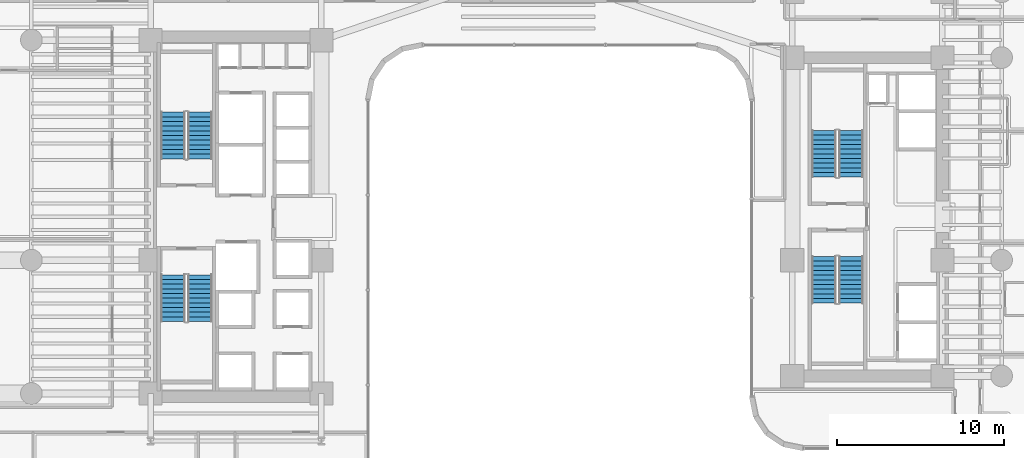
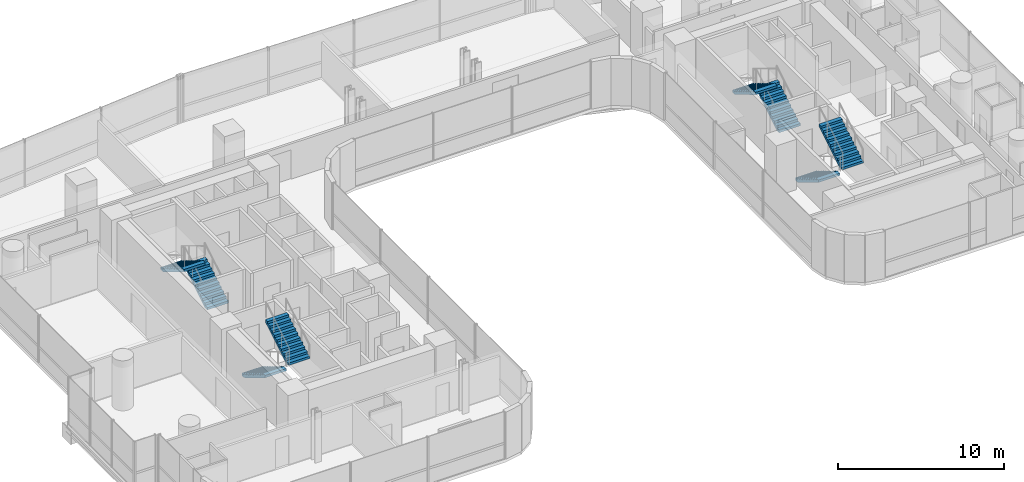
# One storey, part 36 of 41: 8 stair flights, 4 elements without a shape of their own.
"""IFC4 building model written with IfcOpenShell, lengths in metres."""

from ifc_helpers import new_model, si_unit, direction, frame, origin, place, context, subcontext, project, spatial, polyline, outline, extrude, material, type_object, element, aggregate, save


model = new_model("IFC4")

# Units and contexts
model_context = context("Model", 3, precision=1e-05, world=origin(), true_north=direction((0.0, 1.0)))
body_context = subcontext(model_context, "Body", "Model", "MODEL_VIEW")
ifc_project = project(units=[si_unit("LENGTHUNIT", "METRE"), si_unit("AREAUNIT", "SQUARE_METRE"), si_unit("VOLUMEUNIT", "CUBIC_METRE"), si_unit("PLANEANGLEUNIT", "RADIAN"), si_unit("MASSUNIT", "GRAM", prefix="KILO")], contexts=[model_context])

# Site, building, storey
site_placement = place(None, origin())
site = spatial("IfcSite", under=ifc_project, at=site_placement, CompositionType="ELEMENT")
building_placement = place(site_placement, origin())
building = spatial("IfcBuilding", under=site, at=building_placement, Name="Valdorenza Pilgrim Sanctuary Tower", CompositionType="ELEMENT")
storey_placement = place(building_placement, frame((0.0, 0.0, 63.0)))
storey = spatial("IfcBuildingStorey", under=building, at=storey_placement, Name="L15", CompositionType="ELEMENT", Elevation=63.0)

# Stair, stair flights
ifc_material = material(Name="Concrete C40/50", Category="concrete")
stair_type = type_object("IfcStairType", Name="STR-DOG-CORE", PredefinedType="HALF_TURN_STAIR", material=ifc_material)
stair_1_placement = place(storey_placement, origin())
stair_1 = element("IfcStair", 1, at=stair_1_placement, inside=storey, type_object=stair_type, Name="L15 ST-A1", PredefinedType="HALF_TURN_STAIR")
stair_flight_type = type_object("IfcStairFlightType", Name="STF-RC-1400", PredefinedType="STRAIGHT", material=ifc_material)
stair_flight_1_placement = place(storey_placement, frame((-19.679931640625, 3.47998046875, 0.0), z_axis=(0.0, 0.0, 1.0), x_axis=(0.0, 1.0, 0.0)))
stair_flight_1 = element("IfcStairFlight", 2, at=stair_flight_1_placement, type_object=stair_flight_type, Name="ST-A1 flight 1", NumberOfRisers=11, NumberOfTreads=10, PredefinedType="STRAIGHT", RiserHeight=0.168181818, TreadLength=0.28, context=body_context, shape_type="SweptSolid", body=[
    extrude(outline(polyline([(0.0, 0.0), (0.0, 0.168212890625), (0.280029296875, 0.168212890625), (0.280029296875, 0.33642578125), (0.56005859375, 0.33642578125), (0.56005859375, 0.504638671875), (0.840087890625, 0.504638671875), (0.840087890625, 0.672607421875), (1.1201171875, 0.672607421875), (1.1201171875, 0.8408203125), (1.39990234375, 0.8408203125), (1.39990234375, 1.009033203125), (1.679931640625, 1.009033203125), (1.679931640625, 1.17724609375), (1.9599609375, 1.17724609375), (1.9599609375, 1.345458984375), (2.239990234375, 1.345458984375), (2.239990234375, 1.513671875), (2.52001953125, 1.513671875), (2.52001953125, 1.681884765625), (2.800048828125, 1.681884765625), (2.800048828125, 1.85009765625), (2.800048828125, 1.5068359375), (0.291015625, 0.0), (0.0, 0.0)])), frame((0.0, 0.739990234375, 0.0), z_axis=(0.0, -1.0, 0.0), x_axis=(1.0, 0.0, 0.0)), (0.0, 0.0, 1.0), 1.47998046875),
])
stair_flight_2_placement = place(storey_placement, frame((-21.31005859375, 6.280029296875, 1.85009765625), z_axis=(0.0, 0.0, 1.0), x_axis=(0.0, -1.0, 0.0)))
stair_flight_2 = element("IfcStairFlight", 3, at=stair_flight_2_placement, type_object=stair_flight_type, Name="ST-A1 flight 2", NumberOfRisers=11, NumberOfTreads=10, PredefinedType="STRAIGHT", RiserHeight=0.168181818, TreadLength=0.28, context=body_context, shape_type="SweptSolid", body=[
    extrude(outline(polyline([(0.0, 0.0), (0.0, 0.168212890625), (0.280029296875, 0.168212890625), (0.280029296875, 0.33642578125), (0.56005859375, 0.33642578125), (0.56005859375, 0.504638671875), (0.840087890625, 0.504638671875), (0.840087890625, 0.672607421875), (1.1201171875, 0.672607421875), (1.1201171875, 0.8408203125), (1.39990234375, 0.8408203125), (1.39990234375, 1.009033203125), (1.679931640625, 1.009033203125), (1.679931640625, 1.17724609375), (1.9599609375, 1.17724609375), (1.9599609375, 1.345458984375), (2.239990234375, 1.345458984375), (2.239990234375, 1.513671875), (2.52001953125, 1.513671875), (2.52001953125, 1.681884765625), (2.800048828125, 1.681884765625), (2.800048828125, 1.85009765625), (2.800048828125, 1.5068359375), (0.291015625, 0.0), (0.0, 0.0)])), frame((0.0, 0.739990234375, 0.0), z_axis=(0.0, -1.0, 0.0), x_axis=(1.0, 0.0, 0.0)), (0.0, 0.0, 1.0), 1.47998046875),
])
aggregate(stair_1, [stair_flight_1, stair_flight_2])

stair_2_placement = place(storey_placement, origin())
stair_2 = element("IfcStair", 4, at=stair_2_placement, inside=storey, type_object=stair_type, Name="L15 ST-A2", PredefinedType="HALF_TURN_STAIR")
stair_flight_3_placement = place(storey_placement, frame((-21.31005859375, -3.47998046875, 0.0), z_axis=(0.0, 0.0, 1.0), x_axis=(0.0, -1.0, 0.0)))
stair_flight_3 = element("IfcStairFlight", 5, at=stair_flight_3_placement, type_object=stair_flight_type, Name="ST-A2 flight 1", NumberOfRisers=11, NumberOfTreads=10, PredefinedType="STRAIGHT", RiserHeight=0.168181818, TreadLength=0.28, context=body_context, shape_type="SweptSolid", body=[
    extrude(outline(polyline([(0.0, 0.0), (0.0, 0.168212890625), (0.280029296875, 0.168212890625), (0.280029296875, 0.33642578125), (0.56005859375, 0.33642578125), (0.56005859375, 0.504638671875), (0.840087890625, 0.504638671875), (0.840087890625, 0.672607421875), (1.1201171875, 0.672607421875), (1.1201171875, 0.8408203125), (1.39990234375, 0.8408203125), (1.39990234375, 1.009033203125), (1.679931640625, 1.009033203125), (1.679931640625, 1.17724609375), (1.9599609375, 1.17724609375), (1.9599609375, 1.345458984375), (2.239990234375, 1.345458984375), (2.239990234375, 1.513671875), (2.52001953125, 1.513671875), (2.52001953125, 1.681884765625), (2.800048828125, 1.681884765625), (2.800048828125, 1.85009765625), (2.800048828125, 1.5068359375), (0.291015625, 0.0), (0.0, 0.0)])), frame((0.0, 0.739990234375, 0.0), z_axis=(0.0, -1.0, 0.0), x_axis=(1.0, 0.0, 0.0)), (0.0, 0.0, 1.0), 1.47998046875),
])
stair_flight_4_placement = place(storey_placement, frame((-19.679931640625, -6.280029296875, 1.85009765625), z_axis=(0.0, 0.0, 1.0), x_axis=(0.0, 1.0, 0.0)))
stair_flight_4 = element("IfcStairFlight", 6, at=stair_flight_4_placement, type_object=stair_flight_type, Name="ST-A2 flight 2", NumberOfRisers=11, NumberOfTreads=10, PredefinedType="STRAIGHT", RiserHeight=0.168181818, TreadLength=0.28, context=body_context, shape_type="SweptSolid", body=[
    extrude(outline(polyline([(0.0, 0.0), (0.0, 0.168212890625), (0.280029296875, 0.168212890625), (0.280029296875, 0.33642578125), (0.56005859375, 0.33642578125), (0.56005859375, 0.504638671875), (0.840087890625, 0.504638671875), (0.840087890625, 0.672607421875), (1.1201171875, 0.672607421875), (1.1201171875, 0.8408203125), (1.39990234375, 0.8408203125), (1.39990234375, 1.009033203125), (1.679931640625, 1.009033203125), (1.679931640625, 1.17724609375), (1.9599609375, 1.17724609375), (1.9599609375, 1.345458984375), (2.239990234375, 1.345458984375), (2.239990234375, 1.513671875), (2.52001953125, 1.513671875), (2.52001953125, 1.681884765625), (2.800048828125, 1.681884765625), (2.800048828125, 1.85009765625), (2.800048828125, 1.5068359375), (0.291015625, 0.0), (0.0, 0.0)])), frame((0.0, 0.739990234375, 0.0), z_axis=(0.0, -1.0, 0.0), x_axis=(1.0, 0.0, 0.0)), (0.0, 0.0, 1.0), 1.47998046875),
])
aggregate(stair_2, [stair_flight_3, stair_flight_4])

stair_3_placement = place(storey_placement, origin())
stair_3 = element("IfcStair", 7, at=stair_3_placement, inside=storey, type_object=stair_type, Name="L15 ST-B1", PredefinedType="HALF_TURN_STAIR")
stair_flight_5_placement = place(storey_placement, frame((19.3701171875, 2.3798828125, 0.0), z_axis=(0.0, 0.0, 1.0), x_axis=(0.0, 1.0, 0.0)))
stair_flight_5 = element("IfcStairFlight", 8, at=stair_flight_5_placement, type_object=stair_flight_type, Name="ST-B1 flight 1", NumberOfRisers=11, NumberOfTreads=10, PredefinedType="STRAIGHT", RiserHeight=0.168181818, TreadLength=0.28, context=body_context, shape_type="SweptSolid", body=[
    extrude(outline(polyline([(0.0, 0.0), (0.0, 0.168212890625), (0.280029296875, 0.168212890625), (0.280029296875, 0.33642578125), (0.56005859375, 0.33642578125), (0.56005859375, 0.504638671875), (0.840087890625, 0.504638671875), (0.840087890625, 0.672607421875), (1.1201171875, 0.672607421875), (1.1201171875, 0.8408203125), (1.39990234375, 0.8408203125), (1.39990234375, 1.009033203125), (1.679931640625, 1.009033203125), (1.679931640625, 1.17724609375), (1.9599609375, 1.17724609375), (1.9599609375, 1.345458984375), (2.239990234375, 1.345458984375), (2.239990234375, 1.513671875), (2.52001953125, 1.513671875), (2.52001953125, 1.681884765625), (2.800048828125, 1.681884765625), (2.800048828125, 1.85009765625), (2.800048828125, 1.5068359375), (0.291015625, 0.0), (0.0, 0.0)])), frame((0.0, 0.739990234375, 0.0), z_axis=(0.0, -1.0, 0.0), x_axis=(1.0, 0.0, 0.0)), (0.0, 0.0, 1.0), 1.47998046875),
])
stair_flight_6_placement = place(storey_placement, frame((17.739990234375, 5.179931640625, 1.85009765625), z_axis=(0.0, 0.0, 1.0), x_axis=(0.0, -1.0, 0.0)))
stair_flight_6 = element("IfcStairFlight", 9, at=stair_flight_6_placement, type_object=stair_flight_type, Name="ST-B1 flight 2", NumberOfRisers=11, NumberOfTreads=10, PredefinedType="STRAIGHT", RiserHeight=0.168181818, TreadLength=0.28, context=body_context, shape_type="SweptSolid", body=[
    extrude(outline(polyline([(0.0, 0.0), (0.0, 0.168212890625), (0.280029296875, 0.168212890625), (0.280029296875, 0.33642578125), (0.56005859375, 0.33642578125), (0.56005859375, 0.504638671875), (0.840087890625, 0.504638671875), (0.840087890625, 0.672607421875), (1.1201171875, 0.672607421875), (1.1201171875, 0.8408203125), (1.39990234375, 0.8408203125), (1.39990234375, 1.009033203125), (1.679931640625, 1.009033203125), (1.679931640625, 1.17724609375), (1.9599609375, 1.17724609375), (1.9599609375, 1.345458984375), (2.239990234375, 1.345458984375), (2.239990234375, 1.513671875), (2.52001953125, 1.513671875), (2.52001953125, 1.681884765625), (2.800048828125, 1.681884765625), (2.800048828125, 1.85009765625), (2.800048828125, 1.5068359375), (0.291015625, 0.0), (0.0, 0.0)])), frame((0.0, 0.739990234375, 0.0), z_axis=(0.0, -1.0, 0.0), x_axis=(1.0, 0.0, 0.0)), (0.0, 0.0, 1.0), 1.47998046875),
])
aggregate(stair_3, [stair_flight_5, stair_flight_6])

stair_4_placement = place(storey_placement, origin())
stair_4 = element("IfcStair", 10, at=stair_4_placement, inside=storey, type_object=stair_type, Name="L15 ST-B2", PredefinedType="HALF_TURN_STAIR")
stair_flight_7_placement = place(storey_placement, frame((17.739990234375, -2.3798828125, 0.0), z_axis=(0.0, 0.0, 1.0), x_axis=(0.0, -1.0, 0.0)))
stair_flight_7 = element("IfcStairFlight", 11, at=stair_flight_7_placement, type_object=stair_flight_type, Name="ST-B2 flight 1", NumberOfRisers=11, NumberOfTreads=10, PredefinedType="STRAIGHT", RiserHeight=0.168181818, TreadLength=0.28, context=body_context, shape_type="SweptSolid", body=[
    extrude(outline(polyline([(0.0, 0.0), (0.0, 0.168212890625), (0.280029296875, 0.168212890625), (0.280029296875, 0.33642578125), (0.56005859375, 0.33642578125), (0.56005859375, 0.504638671875), (0.840087890625, 0.504638671875), (0.840087890625, 0.672607421875), (1.1201171875, 0.672607421875), (1.1201171875, 0.8408203125), (1.39990234375, 0.8408203125), (1.39990234375, 1.009033203125), (1.679931640625, 1.009033203125), (1.679931640625, 1.17724609375), (1.9599609375, 1.17724609375), (1.9599609375, 1.345458984375), (2.239990234375, 1.345458984375), (2.239990234375, 1.513671875), (2.52001953125, 1.513671875), (2.52001953125, 1.681884765625), (2.800048828125, 1.681884765625), (2.800048828125, 1.85009765625), (2.800048828125, 1.5068359375), (0.291015625, 0.0), (0.0, 0.0)])), frame((0.0, 0.739990234375, 0.0), z_axis=(0.0, -1.0, 0.0), x_axis=(1.0, 0.0, 0.0)), (0.0, 0.0, 1.0), 1.47998046875),
])
stair_flight_8_placement = place(storey_placement, frame((19.3701171875, -5.179931640625, 1.85009765625), z_axis=(0.0, 0.0, 1.0), x_axis=(0.0, 1.0, 0.0)))
stair_flight_8 = element("IfcStairFlight", 12, at=stair_flight_8_placement, type_object=stair_flight_type, Name="ST-B2 flight 2", NumberOfRisers=11, NumberOfTreads=10, PredefinedType="STRAIGHT", RiserHeight=0.168181818, TreadLength=0.28, context=body_context, shape_type="SweptSolid", body=[
    extrude(outline(polyline([(0.0, 0.0), (0.0, 0.168212890625), (0.280029296875, 0.168212890625), (0.280029296875, 0.33642578125), (0.56005859375, 0.33642578125), (0.56005859375, 0.504638671875), (0.840087890625, 0.504638671875), (0.840087890625, 0.672607421875), (1.1201171875, 0.672607421875), (1.1201171875, 0.8408203125), (1.39990234375, 0.8408203125), (1.39990234375, 1.009033203125), (1.679931640625, 1.009033203125), (1.679931640625, 1.17724609375), (1.9599609375, 1.17724609375), (1.9599609375, 1.345458984375), (2.239990234375, 1.345458984375), (2.239990234375, 1.513671875), (2.52001953125, 1.513671875), (2.52001953125, 1.681884765625), (2.800048828125, 1.681884765625), (2.800048828125, 1.85009765625), (2.800048828125, 1.5068359375), (0.291015625, 0.0), (0.0, 0.0)])), frame((0.0, 0.739990234375, 0.0), z_axis=(0.0, -1.0, 0.0), x_axis=(1.0, 0.0, 0.0)), (0.0, 0.0, 1.0), 1.47998046875),
])
aggregate(stair_4, [stair_flight_7, stair_flight_8])

save(model, "model.ifc")
